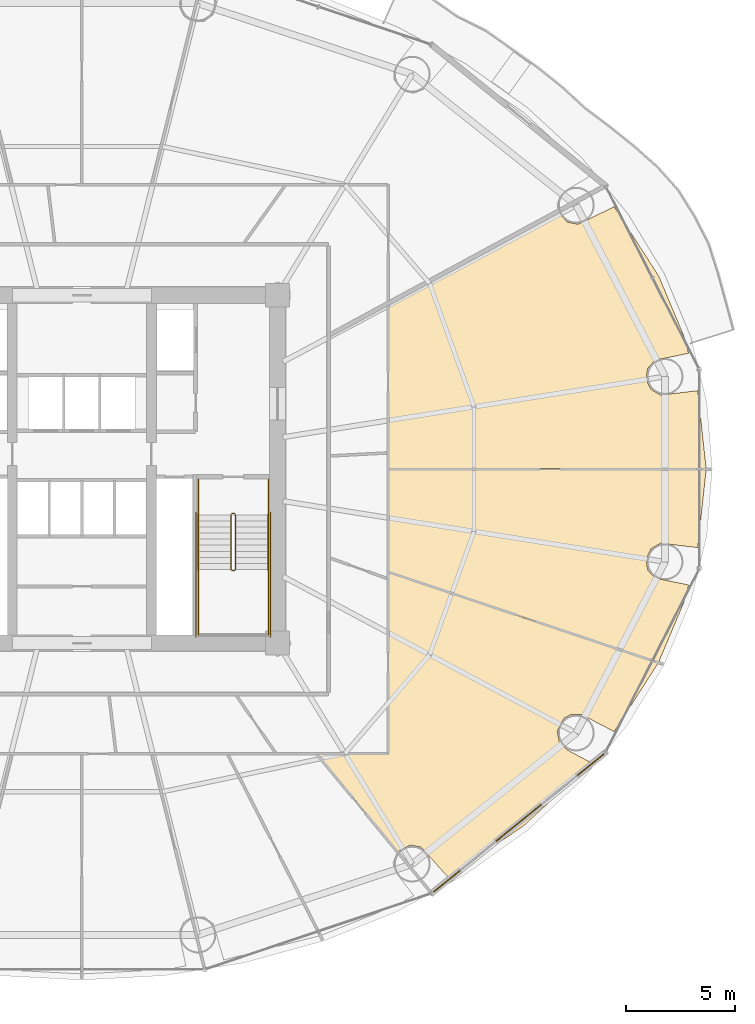
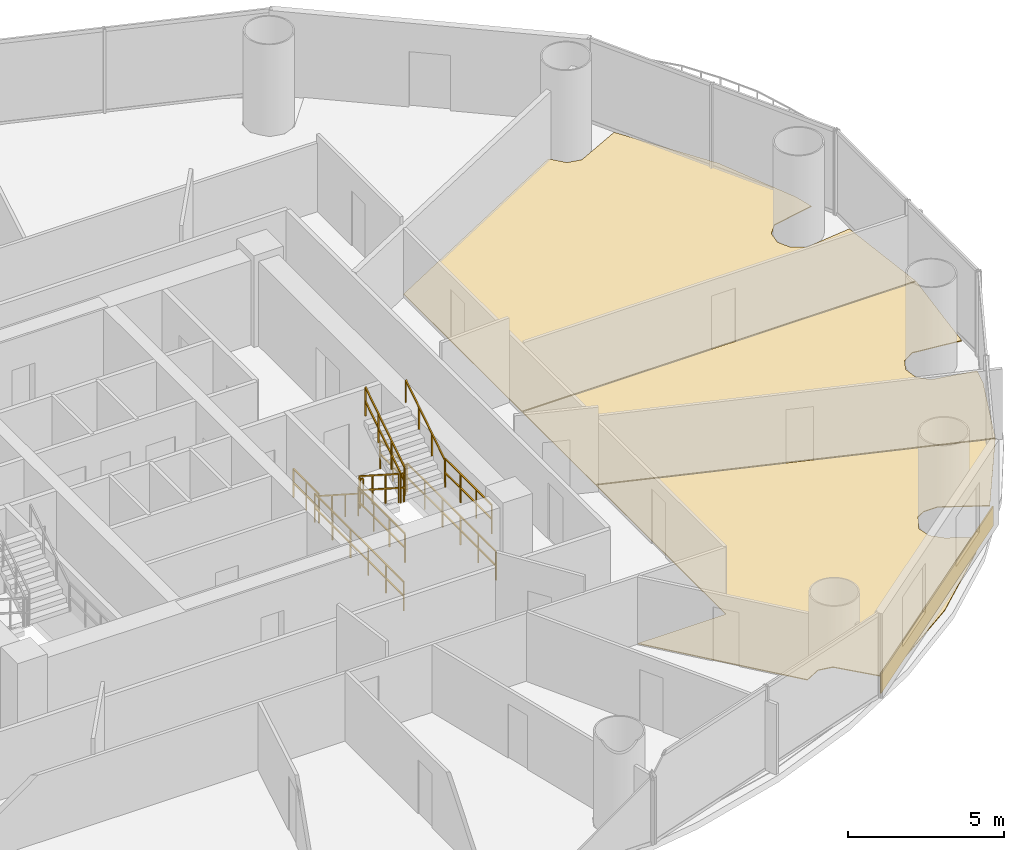
# One storey, part 29 of 30: 12 railings, 4 coverings.
"""IFC4 building model written with IfcOpenShell, lengths in metres."""

from ifc_helpers import new_model, si_unit, direction, frame, origin, origin_2d, place, context, subcontext, project, spatial, polyline, rectangle, outline, extrude, source, transform, mapped, material, layer, layer_set, type_object, element, save


model = new_model("IFC4")

# Units and contexts
model_context = context("Model", 3, precision=1e-05, world=origin(), true_north=direction((-0.2419218956, 0.970295726276)))
body_context = subcontext(model_context, "Body", "Model", "MODEL_VIEW")
ifc_project = project(units=[si_unit("LENGTHUNIT", "METRE"), si_unit("AREAUNIT", "SQUARE_METRE"), si_unit("VOLUMEUNIT", "CUBIC_METRE"), si_unit("PLANEANGLEUNIT", "RADIAN"), si_unit("MASSUNIT", "GRAM", prefix="KILO")], contexts=[model_context])

# Site, building, storey
site_placement = place(None, origin())
site = spatial("IfcSite", under=ifc_project, at=site_placement, CompositionType="ELEMENT")
building_placement = place(site_placement, origin())
building = spatial("IfcBuilding", under=site, at=building_placement, Name="Cobrevalo Terracotta Tower", CompositionType="ELEMENT")
storey_placement = place(building_placement, frame((0.0, 0.0, 60.0)))
storey = spatial("IfcBuildingStorey", under=building, at=storey_placement, Name="L15", CompositionType="ELEMENT", Elevation=60.0)

# Coverings
ifc_material_1 = material(Name="Engineered Brazilian hardwood flooring", Category="wood")
ifc_layer_1 = layer(ifc_material_1, 0.028076171875)
ifc_layer_set_1 = layer_set([ifc_layer_1], Name="Engineered Brazilian hardwood flooring")
covering_type_1 = type_object("IfcCoveringType", Name="Engineered Hardwood Suite Flooring 28", PredefinedType="FLOORING", material=ifc_layer_set_1)
covering_1_placement = place(storey_placement, origin())
element("IfcCovering", 1, at=covering_1_placement, inside=storey, type_object=covering_type_1, Name="Flat L15B Penthouse Family Lounge floor finish", PredefinedType="FLOORING", context=body_context, shape_type="SweptSolid", body=[
    extrude(outline(polyline([(62.488037109375, 14.7255859375), (60.99560546875, 15.503173828125), (60.48486328125, 15.5029296875), (60.181884765625, 15.3408203125), (59.86474609375, 14.74658203125), (59.96484375, 14.24560546875), (60.325439453125, 13.885009765625), (61.34423828125, 13.341064453125), (60.786376953125, 12.666259765625), (58.3095703125, 10.38232421875), (54.843505859375, 8.03271484375), (53.6025390625, 9.412353515625), (53.100341796875, 9.50732421875), (52.531982421875, 9.20751953125), (48.831787109375, 13.695068359375), (52.10498046875, 13.695068359375), (52.10498046875, 22.04443359375), (64.5126953125, 17.8798828125), (62.488037109375, 14.7255859375)])), origin(), (0.0, 0.0, 1.0), 0.030029296875),
])
covering_2_placement = place(storey_placement, origin())
element("IfcCovering", 2, at=covering_2_placement, inside=storey, type_object=covering_type_1, Name="Flat L15B Penthouse Family Lounge floor finish", PredefinedType="FLOORING", context=body_context, shape_type="SweptSolid", body=[
    extrude(outline(polyline([(52.10498046875, 22.086669921875), (52.10498046875, 26.780029296875), (66.71826171875, 26.780029296875), (66.331298828125, 23.18896484375), (64.619384765625, 23.39306640625), (64.178466796875, 23.135009765625), (63.955322265625, 22.67529296875), (64.025146484375, 22.169189453125), (64.3642578125, 21.787109375), (65.909423828125, 21.473876953125), (65.74169921875, 20.791259765625), (64.531494140625, 17.91552734375), (52.10498046875, 22.086669921875)])), origin(), (0.0, 0.0, 1.0), 0.030029296875),
])
covering_3_placement = place(storey_placement, origin())
element("IfcCovering", 3, at=covering_3_placement, inside=storey, type_object=covering_type_1, Name="Flat L15B Private Cinema Room floor finish", PredefinedType="FLOORING", context=body_context, shape_type="SweptSolid", body=[
    extrude(outline(polyline([(59.915283203125, 38.643310546875), (60.325439453125, 38.163330078125), (60.826416015625, 38.063232421875), (62.488037109375, 38.87451171875), (64.534423828125, 35.684326171875), (65.74169921875, 32.80859375), (65.909423828125, 32.126220703125), (64.3642578125, 31.81298828125), (64.025146484375, 31.4306640625), (63.955322265625, 30.924560546875), (64.178466796875, 30.465087890625), (64.619384765625, 30.206787109375), (66.331298828125, 30.4111328125), (66.71826171875, 26.820068359375), (52.10498046875, 26.820068359375), (52.10498046875, 34.41455078125), (59.915283203125, 38.643310546875)])), origin(), (0.0, 0.0, 1.0), 0.030029296875),
])

# Railings
ifc_material_2 = material(Name="Brushed stainless steel", Category="steel")
railing_type_1 = type_object("IfcRailingType", Name="Stainless Steel Stair Handrail 900", PredefinedType="HANDRAIL", material=ifc_material_2)
railing_1_placement = place(storey_placement, frame((43.35498046875, 24.699951171875, 0.179931640625)))
element("IfcRailing", 4, at=railing_1_placement, inside=storey, type_object=railing_type_1, Name="L15 ST-2 stair handrail 1", PredefinedType="HANDRAIL", context=body_context, shape_type="SweptSolid", body=[
    extrude(rectangle(XDim=0.048095703125, YDim=0.048095703125, at=origin_2d()), frame((0.0, 0.0, 0.8759765625), z_axis=(0.0, -0.841162588446, 0.540782303519), x_axis=(1.0, 0.0, 0.0)), (0.0, 0.0, 1.0), 2.995849609375),
    extrude(rectangle(XDim=0.0419921875, YDim=0.0419921875, at=origin_2d()), origin(), (0.0, 0.0, 1.0), 0.851806640625),
    extrude(rectangle(XDim=0.0419921875, YDim=0.0419921875, at=origin_2d()), frame((0.0, -0.840087890625, 0.5400390625)), (0.0, 0.0, 1.0), 0.851806640625),
    extrude(rectangle(XDim=0.0419921875, YDim=0.0419921875, at=origin_2d()), frame((0.0, -1.679931640625, 1.080078125)), (0.0, 0.0, 1.0), 0.851806640625),
    extrude(rectangle(XDim=0.0419921875, YDim=0.0419921875, at=origin_2d()), frame((0.0, -2.52001953125, 1.6201171875)), (0.0, 0.0, 1.0), 0.851806640625),
])
railing_2_placement = place(storey_placement, frame((46.574951171875, 22.179931640625, 1.97998046875)))
element("IfcRailing", 5, at=railing_2_placement, inside=storey, type_object=railing_type_1, Name="L15 ST-2 stair handrail 2", PredefinedType="HANDRAIL", context=body_context, shape_type="SweptSolid", body=[
    extrude(rectangle(XDim=0.048095703125, YDim=0.048095703125, at=origin_2d()), frame((0.0, 0.0, 0.8759765625), z_axis=(0.0, 0.841162588446, 0.540782303519), x_axis=(-1.0, 0.0, 0.0)), (0.0, 0.0, 1.0), 2.995849609375),
    extrude(rectangle(XDim=0.0419921875, YDim=0.0419921875, at=origin_2d()), origin(), (0.0, 0.0, 1.0), 0.851806640625),
    extrude(rectangle(XDim=0.0419921875, YDim=0.0419921875, at=origin_2d()), frame((0.0, 0.840087890625, 0.5400390625)), (0.0, 0.0, 1.0), 0.851806640625),
    extrude(rectangle(XDim=0.0419921875, YDim=0.0419921875, at=origin_2d()), frame((0.0, 1.679931640625, 1.080078125)), (0.0, 0.0, 1.0), 0.851806640625),
    extrude(rectangle(XDim=0.0419921875, YDim=0.0419921875, at=origin_2d()), frame((0.0, 2.52001953125, 1.6201171875)), (0.0, 0.0, 1.0), 0.851806640625),
])
ifc_material_3 = material(Name="Painted galvanized steel", Category="steel")
railing_type_2 = type_object("IfcRailingType", Name="Stair Well Guard Balustrade 1150", PredefinedType="GUARDRAIL", material=ifc_material_3)
railing_3_placement = place(storey_placement, frame((44.85498046875, 24.699951171875, 0.179931640625)))
element("IfcRailing", 6, at=railing_3_placement, inside=storey, type_object=railing_type_2, Name="L15 ST-2 stair guard 1", PredefinedType="GUARDRAIL", context=body_context, shape_type="SweptSolid", body=[
    extrude(rectangle(XDim=0.048095703125, YDim=0.048095703125, at=origin_2d()), frame((0.0, 0.0, 1.1259765625), z_axis=(0.0, -0.841162588446, 0.540782303519), x_axis=(1.0, 0.0, 0.0)), (0.0, 0.0, 1.0), 2.995849609375),
    extrude(rectangle(XDim=0.048095703125, YDim=0.048095703125, at=origin_2d()), frame((0.0, 0.0, 0.574951171875), z_axis=(0.0, -0.841162588446, 0.540782303519), x_axis=(1.0, 0.0, 0.0)), (0.0, 0.0, 1.0), 2.995849609375),
    extrude(rectangle(XDim=0.0419921875, YDim=0.0419921875, at=origin_2d()), origin(), (0.0, 0.0, 1.0), 1.101806640625),
    extrude(rectangle(XDim=0.0419921875, YDim=0.0419921875, at=origin_2d()), frame((0.0, -0.840087890625, 0.5400390625)), (0.0, 0.0, 1.0), 1.101806640625),
    extrude(rectangle(XDim=0.0419921875, YDim=0.0419921875, at=origin_2d()), frame((0.0, -1.679931640625, 1.080078125)), (0.0, 0.0, 1.0), 1.101806640625),
    extrude(rectangle(XDim=0.0419921875, YDim=0.0419921875, at=origin_2d()), frame((0.0, -2.52001953125, 1.6201171875)), (0.0, 0.0, 1.0), 1.101806640625),
])
railing_4_placement = place(storey_placement, frame((44.905029296875, 22.1298828125, 1.800048828125)))
element("IfcRailing", 7, at=railing_4_placement, inside=storey, type_object=railing_type_2, Name="L15 ST-2 stair guard 2", PredefinedType="GUARDRAIL", context=body_context, shape_type="SweptSolid", body=[
    extrude(rectangle(XDim=0.048095703125, YDim=0.048095703125, at=origin_2d()), frame((0.0, 0.0, 1.1259765625), z_axis=(1.0, 0.0, 0.0), x_axis=(0.0, 1.0, 0.0)), (0.0, 0.0, 1.0), 0.119873046875),
    extrude(rectangle(XDim=0.048095703125, YDim=0.048095703125, at=origin_2d()), frame((0.0, 0.0, 0.574951171875), z_axis=(1.0, 0.0, 0.0), x_axis=(0.0, 1.0, 0.0)), (0.0, 0.0, 1.0), 0.119873046875),
    extrude(rectangle(XDim=0.0419921875, YDim=0.0419921875, at=origin_2d()), origin(), (0.0, 0.0, 1.0), 1.101806640625),
    extrude(rectangle(XDim=0.0419921875, YDim=0.0419921875, at=origin_2d()), frame((0.119873046875, 0.0, 0.0)), (0.0, 0.0, 1.0), 1.101806640625),
])
for number, where, name in (
    (8, (43.35498046875, 22.179931640625, 1.800048828125), "L15 ST-2 stair guard 3"),
    (9, (46.574951171875, 22.179931640625, 1.800048828125), "L15 ST-2 stair guard 4"),
):
    element("IfcRailing", number, at=place(storey_placement, frame(where)), inside=storey, type_object=railing_type_2, Name=name, PredefinedType="GUARDRAIL", context=body_context, shape_type="SweptSolid", body=[
        extrude(rectangle(XDim=0.048095703125, YDim=0.048095703125, at=origin_2d()), frame((0.0, 0.0, 1.1259765625), z_axis=(0.0, -1.0, 0.0), x_axis=(1.0, 0.0, 0.0)), (0.0, 0.0, 1.0), 3.0048828125),
        extrude(rectangle(XDim=0.048095703125, YDim=0.048095703125, at=origin_2d()), frame((0.0, 0.0, 0.574951171875), z_axis=(0.0, -1.0, 0.0), x_axis=(1.0, 0.0, 0.0)), (0.0, 0.0, 1.0), 3.0048828125),
        extrude(rectangle(XDim=0.0419921875, YDim=0.0419921875, at=origin_2d()), origin(), (0.0, 0.0, 1.0), 1.101806640625),
        extrude(rectangle(XDim=0.0419921875, YDim=0.0419921875, at=origin_2d()), frame((0.0, -1.001708984375, 0.0)), (0.0, 0.0, 1.0), 1.101806640625),
        extrude(rectangle(XDim=0.0419921875, YDim=0.0419921875, at=origin_2d()), frame((0.0, -2.003173828125, 0.0)), (0.0, 0.0, 1.0), 1.101806640625),
        extrude(rectangle(XDim=0.0419921875, YDim=0.0419921875, at=origin_2d()), frame((0.0, -3.0048828125, 0.0)), (0.0, 0.0, 1.0), 1.101806640625),
    ])
railing_5_placement = place(storey_placement, frame((45.074951171875, 22.179931640625, 1.97998046875)))
element("IfcRailing", 10, at=railing_5_placement, inside=storey, type_object=railing_type_2, Name="L15 ST-2 stair guard 6", PredefinedType="GUARDRAIL", context=body_context, shape_type="SweptSolid", body=[
    extrude(rectangle(XDim=0.048095703125, YDim=0.048095703125, at=origin_2d()), frame((0.0, 0.0, 1.1259765625), z_axis=(0.0, 0.841162588446, 0.540782303519), x_axis=(-1.0, 0.0, 0.0)), (0.0, 0.0, 1.0), 2.995849609375),
    extrude(rectangle(XDim=0.048095703125, YDim=0.048095703125, at=origin_2d()), frame((0.0, 0.0, 0.574951171875), z_axis=(0.0, 0.841162588446, 0.540782303519), x_axis=(-1.0, 0.0, 0.0)), (0.0, 0.0, 1.0), 2.995849609375),
    extrude(rectangle(XDim=0.0419921875, YDim=0.0419921875, at=origin_2d()), origin(), (0.0, 0.0, 1.0), 1.101806640625),
    extrude(rectangle(XDim=0.0419921875, YDim=0.0419921875, at=origin_2d()), frame((0.0, 0.840087890625, 0.5400390625)), (0.0, 0.0, 1.0), 1.101806640625),
    extrude(rectangle(XDim=0.0419921875, YDim=0.0419921875, at=origin_2d()), frame((0.0, 1.679931640625, 1.080078125)), (0.0, 0.0, 1.0), 1.101806640625),
    extrude(rectangle(XDim=0.0419921875, YDim=0.0419921875, at=origin_2d()), frame((0.0, 2.52001953125, 1.6201171875)), (0.0, 0.0, 1.0), 1.101806640625),
])
railing_6_placement = place(storey_placement, frame((44.905029296875, 24.75, 0.0)))
element("IfcRailing", 11, at=railing_6_placement, inside=storey, type_object=railing_type_2, Name="L15 ST-2 stair guard 7", PredefinedType="GUARDRAIL", context=body_context, shape_type="SweptSolid", body=[
    extrude(rectangle(XDim=0.048095703125, YDim=0.048095703125, at=origin_2d()), frame((0.0, 0.0, 1.1259765625), z_axis=(1.0, 0.0, 0.0), x_axis=(0.0, 1.0, 0.0)), (0.0, 0.0, 1.0), 0.119873046875),
    extrude(rectangle(XDim=0.048095703125, YDim=0.048095703125, at=origin_2d()), frame((0.0, 0.0, 0.574951171875), z_axis=(1.0, 0.0, 0.0), x_axis=(0.0, 1.0, 0.0)), (0.0, 0.0, 1.0), 0.119873046875),
    extrude(rectangle(XDim=0.0419921875, YDim=0.0419921875, at=origin_2d()), origin(), (0.0, 0.0, 1.0), 1.101806640625),
    extrude(rectangle(XDim=0.0419921875, YDim=0.0419921875, at=origin_2d()), frame((0.119873046875, 0.0, 0.0)), (0.0, 0.0, 1.0), 1.101806640625),
])
for number, where, name in (
    (12, (43.35498046875, 26.35009765625, 0.0), "L15 ST-2 stair guard 8"),
    (13, (46.574951171875, 26.35009765625, 0.0), "L15 ST-2 stair guard 9"),
):
    element("IfcRailing", number, at=place(storey_placement, frame(where)), inside=storey, type_object=railing_type_2, Name=name, PredefinedType="GUARDRAIL", context=body_context, shape_type="SweptSolid", body=[
        extrude(rectangle(XDim=0.048095703125, YDim=0.048095703125, at=origin_2d()), frame((0.0, 0.0, 1.1259765625), z_axis=(0.0, -1.0, 0.0), x_axis=(1.0, 0.0, 0.0)), (0.0, 0.0, 1.0), 1.650146484375),
        extrude(rectangle(XDim=0.048095703125, YDim=0.048095703125, at=origin_2d()), frame((0.0, 0.0, 0.574951171875), z_axis=(0.0, -1.0, 0.0), x_axis=(1.0, 0.0, 0.0)), (0.0, 0.0, 1.0), 1.650146484375),
        extrude(rectangle(XDim=0.0419921875, YDim=0.0419921875, at=origin_2d()), origin(), (0.0, 0.0, 1.0), 1.101806640625),
        extrude(rectangle(XDim=0.0419921875, YDim=0.0419921875, at=origin_2d()), frame((0.0, -0.8251953125, 0.0)), (0.0, 0.0, 1.0), 1.101806640625),
        extrude(rectangle(XDim=0.0419921875, YDim=0.0419921875, at=origin_2d()), frame((0.0, -1.650146484375, 0.0)), (0.0, 0.0, 1.0), 1.101806640625),
    ])
for number, where, name in (
    (14, (43.2548828125, 24.800048828125, 0.0), "L15 ST-2 stair guard 10"),
    (15, (46.675048828125, 24.800048828125, 0.0), "L15 ST-2 stair guard 11"),
):
    element("IfcRailing", number, at=place(storey_placement, frame(where)), inside=storey, type_object=railing_type_2, Name=name, PredefinedType="GUARDRAIL", context=body_context, shape_type="SweptSolid", body=[
        extrude(rectangle(XDim=0.048095703125, YDim=0.048095703125, at=origin_2d()), frame((0.0, 0.0, 1.1259765625), z_axis=(0.0, -1.0, 0.0), x_axis=(1.0, 0.0, 0.0)), (0.0, 0.0, 1.0), 5.72509765625),
        extrude(rectangle(XDim=0.048095703125, YDim=0.048095703125, at=origin_2d()), frame((0.0, 0.0, 0.574951171875), z_axis=(0.0, -1.0, 0.0), x_axis=(1.0, 0.0, 0.0)), (0.0, 0.0, 1.0), 5.72509765625),
        extrude(rectangle(XDim=0.0419921875, YDim=0.0419921875, at=origin_2d()), origin(), (0.0, 0.0, 1.0), 1.101806640625),
        extrude(rectangle(XDim=0.0419921875, YDim=0.0419921875, at=origin_2d()), frame((0.0, -1.14501953125, 0.0)), (0.0, 0.0, 1.0), 1.101806640625),
        extrude(rectangle(XDim=0.0419921875, YDim=0.0419921875, at=origin_2d()), frame((0.0, -2.2900390625, 0.0)), (0.0, 0.0, 1.0), 1.101806640625),
        extrude(rectangle(XDim=0.0419921875, YDim=0.0419921875, at=origin_2d()), frame((0.0, -3.43505859375, 0.0)), (0.0, 0.0, 1.0), 1.101806640625),
        extrude(rectangle(XDim=0.0419921875, YDim=0.0419921875, at=origin_2d()), frame((0.0, -4.580078125, 0.0)), (0.0, 0.0, 1.0), 1.101806640625),
        extrude(rectangle(XDim=0.0419921875, YDim=0.0419921875, at=origin_2d()), frame((0.0, -5.72509765625, 0.0)), (0.0, 0.0, 1.0), 1.101806640625),
    ])

# Covering
ifc_material_4 = material(Name="Glazed terracotta facade cladding tile", Category="masonry")
ifc_layer_2 = layer(ifc_material_4, 0.044921875)
ifc_layer_set_2 = layer_set([ifc_layer_2], Name="Glazed terracotta facade cladding tile")
covering_type_2 = type_object("IfcCoveringType", Name="Architectural terracotta rainscreen spandrel cladding 45 mm", PredefinedType="CLADDING", material=ifc_layer_set_2)
shared_shape = source(origin(), body_context, "Body", "SweptSolid", [
    extrude(rectangle(XDim=10.086669921875, YDim=0.044921875, at=origin_2d()), origin(), (0.0, 0.0, 1.0), 0.760009765625),
])
covering_4_placement = place(storey_placement, frame((58.09130859375, 10.523193359375, 0.0400390625), z_axis=(0.0, 0.0, 1.0), x_axis=(0.777007547884, 0.629491279154, 0.0)))
element("IfcCovering", 16, at=covering_4_placement, inside=storey, type_object=covering_type_2, Name="L15 terracotta spandrel cladding S14", PredefinedType="CLADDING", context=body_context, shape_type="MappedRepresentation", body=[
    mapped(shared_shape, transform((0.0, 0.0, 0.0), scale=1.0)),
])

save(model, "model.ifc")
